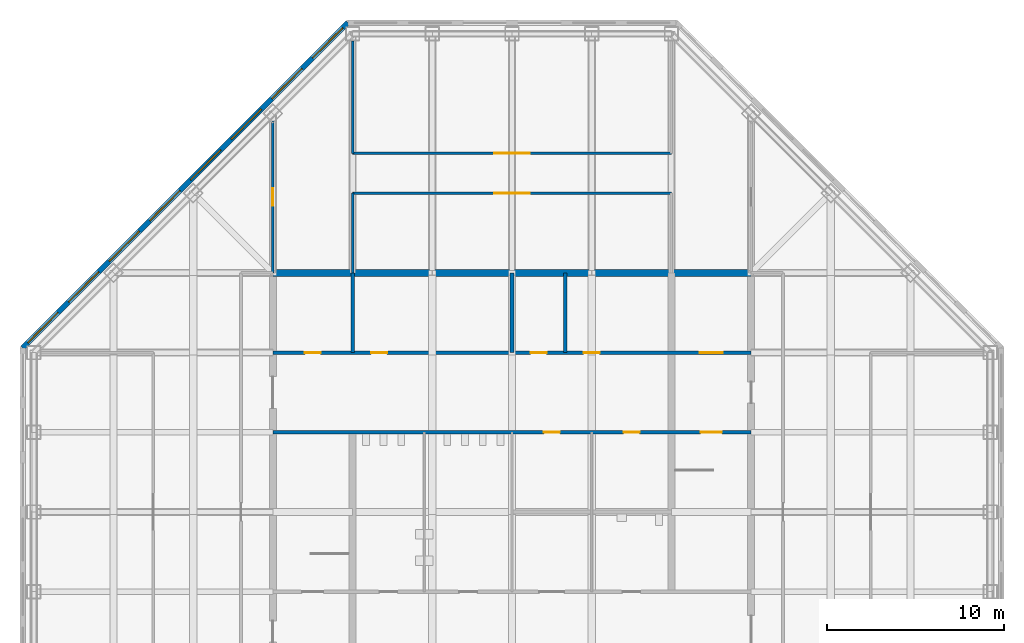
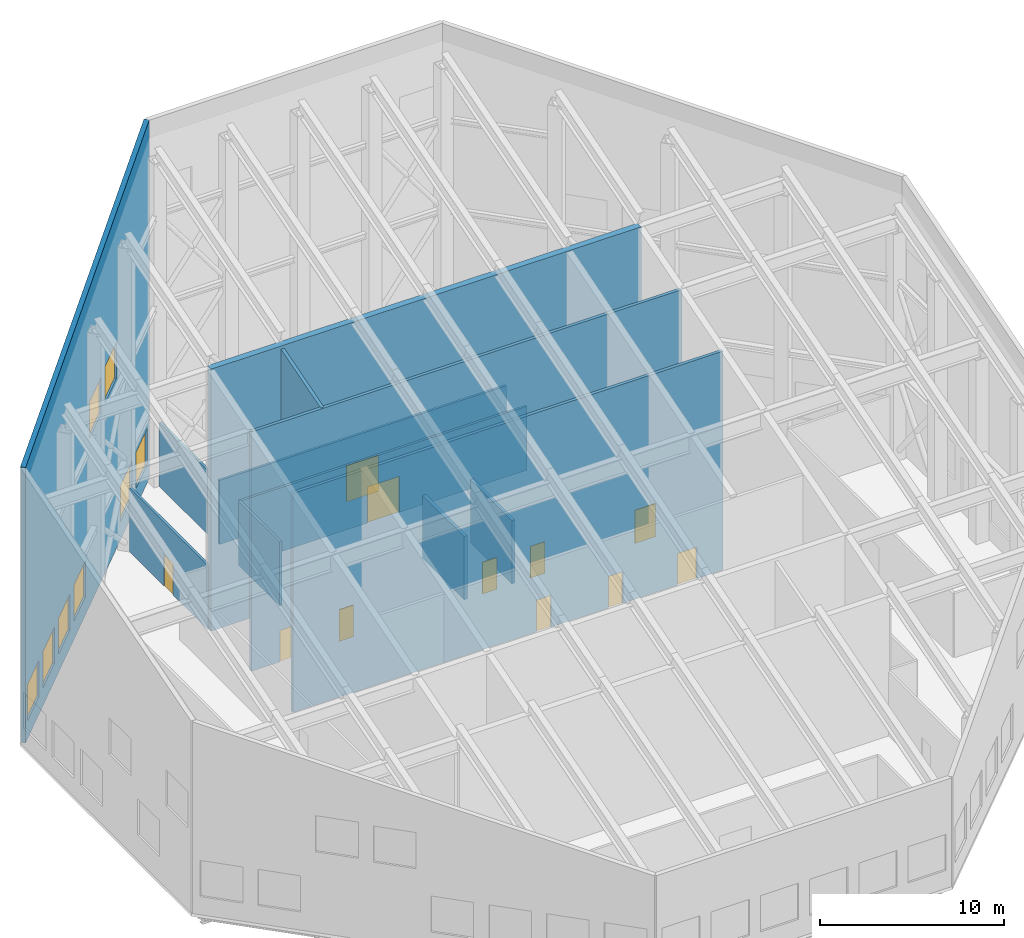
# One storey, part 7 of 10: 12 walls, 11 doors, 8 windows, 19 openings.
"""IFC4 building model written with IfcOpenShell, lengths in metres."""

from ifc_helpers import new_model, si_unit, direction, frame, frame_2d, origin, place, context, subcontext, project, spatial, polyline, rectangle, outline, extrude, material, layer, layer_set, type_object, element, fill, save


model = new_model("IFC4")

# Units and contexts
model_context = context("Model", 3, precision=1e-05, world=origin(), true_north=direction((0.0, 1.0)))
body_context = subcontext(model_context, "Body", "Model", "MODEL_VIEW")
ifc_project = project(units=[si_unit("LENGTHUNIT", "METRE"), si_unit("AREAUNIT", "SQUARE_METRE"), si_unit("VOLUMEUNIT", "CUBIC_METRE"), si_unit("PLANEANGLEUNIT", "RADIAN"), si_unit("MASSUNIT", "GRAM", prefix="KILO")], contexts=[model_context])

# Site, building, storey
site_placement = place(None, origin())
site = spatial("IfcSite", under=ifc_project, at=site_placement, CompositionType="ELEMENT")
building_placement = place(site_placement, origin())
building = spatial("IfcBuilding", under=site, at=building_placement, Name="Corais Broadcast Tower", CompositionType="ELEMENT")
storey_placement = place(building_placement, frame((0.0, 0.0, 320.10009765625)))
storey = spatial("IfcBuildingStorey", under=building, at=storey_placement, Name="L75", CompositionType="ELEMENT", Elevation=320.10009765625)

# Wall
ifc_material_1 = material(Name="Concrete blockwork class A, grouted, two-hour", Category="masonry")
ifc_layer_1 = layer(ifc_material_1, 0.199951171875)
ifc_layer_set_1 = layer_set([ifc_layer_1], Name="Concrete blockwork class A, grouted, two-hour")
wall_type_1 = type_object("IfcWallType", Name="Core lobby wall 200", PredefinedType="SOLIDWALL", material=ifc_layer_set_1)
wall_1_placement = place(storey_placement, frame((18.0, 36.0, 0.0), z_axis=(0.0, 0.0, 1.0), x_axis=(0.0, 1.0, 0.0)))
element("IfcWall", 1, at=wall_1_placement, inside=storey, type_object=wall_type_1, Name="CL3 core shaft wall X18B L75", PredefinedType="SOLIDWALL", context=body_context, shape_type="SweptSolid", body=[
    extrude(outline(polyline([(0.0, 0.0), (4.5, 0.0), (4.5, 17.22705078125), (0.0, 15.876953125), (0.0, 0.0)])), frame((0.0, 0.10009765625, 0.0), z_axis=(0.0, -1.0, 0.0), x_axis=(1.0, 0.0, 0.0)), (0.0, 0.0, 1.0), 0.199951171875),
])

# Wall, openings, doors
wall_2_placement = place(storey_placement, frame((13.5, 31.5, 0.0), z_axis=(0.0, 0.0, 1.0), x_axis=(1.0, 0.0, 0.0)))
wall_2 = element("IfcWall", 2, at=wall_2_placement, inside=storey, type_object=wall_type_1, Name="CL3 core lobby wall Y315 L75", PredefinedType="SOLIDWALL", context=body_context, shape_type="SweptSolid", body=[
    extrude(rectangle(XDim=27.0, YDim=0.199951171875, at=frame_2d((13.5, 0.0))), origin(), (0.0, 0.0, 1.0), 14.527099609375),
])
opening_1_placement = place(wall_2_placement, frame((24.14990234375, 0.0, 0.0)))
opening_1 = element("IfcOpeningElement", 3, at=opening_1_placement, cuts=wall_2, Name="Opening FD1", PredefinedType="OPENING", context=body_context, shape_type="SweptSolid", body=[
    extrude(rectangle(XDim=1.199951171875, YDim=2.10009765625, at=frame_2d((0.60009765625, 1.050048828125))), frame((0.0, 0.10986328125, 0.0), z_axis=(0.0, -1.0, 0.0), x_axis=(1.0, 0.0, 0.0)), (0.0, 0.0, 1.0), 0.219970703125),
])
opening_2_placement = place(wall_2_placement, frame((15.300048828125, 0.0, 0.0)))
opening_2 = element("IfcOpeningElement", 4, at=opening_2_placement, cuts=wall_2, Name="Opening RD1", PredefinedType="OPENING", context=body_context, shape_type="SweptSolid", body=[
    extrude(rectangle(XDim=0.89990234375, YDim=2.10009765625, at=frame_2d((0.449951171875, 1.050048828125))), frame((0.0, 0.10986328125, 0.0), z_axis=(0.0, -1.0, 0.0), x_axis=(1.0, 0.0, 0.0)), (0.0, 0.0, 1.0), 0.219970703125),
])
opening_3_placement = place(wall_2_placement, frame((19.800048828125, 0.0, 0.0)))
opening_3 = element("IfcOpeningElement", 5, at=opening_3_placement, cuts=wall_2, Name="Opening RD1", PredefinedType="OPENING", context=body_context, shape_type="SweptSolid", body=[
    extrude(rectangle(XDim=0.89990234375, YDim=2.10009765625, at=frame_2d((0.449951171875, 1.050048828125))), frame((0.0, 0.10986328125, 0.0), z_axis=(0.0, -1.0, 0.0), x_axis=(1.0, 0.0, 0.0)), (0.0, 0.0, 1.0), 0.219970703125),
])
ifc_material_2 = material(Name="Steel fire door", Category="steel")
door_type_1 = type_object("IfcDoorType", Name="Fire door 1200x2100", OperationType="SINGLE_SWING_LEFT", PredefinedType="DOOR", material=ifc_material_2)
door_1_placement = place(opening_1_placement, origin())
door_1 = element("IfcDoor", 6, at=door_1_placement, inside=storey, type_object=door_type_1, Name="FD1 stair B door L75", OperationType="SINGLE_SWING_RIGHT", OverallHeight=2.10009765625, OverallWidth=1.199951171875, PredefinedType="DOOR", context=body_context, shape_type="SweptSolid", body=[
    extrude(rectangle(XDim=1.199951171875, YDim=2.10009765625, at=frame_2d((0.60009765625, 1.050048828125))), frame((0.0, 0.02490234375, 0.0), z_axis=(0.0, -1.0, 0.0), x_axis=(1.0, 0.0, 0.0)), (0.0, 0.0, 1.0), 0.050048828125),
])
fill(opening_1, door_1)
ifc_material_3 = material(Name="Steel fire door", Category="steel")
door_type_2 = type_object("IfcDoorType", Name="Riser door 900x2100", OperationType="SINGLE_SWING_LEFT", PredefinedType="DOOR", material=ifc_material_3)
door_2_placement = place(opening_2_placement, origin())
door_2 = element("IfcDoor", 7, at=door_2_placement, inside=storey, type_object=door_type_2, Name="RD1 cleaner's store door L75", OperationType="SINGLE_SWING_RIGHT", OverallHeight=2.10009765625, OverallWidth=0.89990234375, PredefinedType="DOOR", context=body_context, shape_type="SweptSolid", body=[
    extrude(rectangle(XDim=0.89990234375, YDim=2.10009765625, at=frame_2d((0.449951171875, 1.050048828125))), frame((0.0, 0.02490234375, 0.0), z_axis=(0.0, -1.0, 0.0), x_axis=(1.0, 0.0, 0.0)), (0.0, 0.0, 1.0), 0.050048828125),
])
fill(opening_2, door_2)
door_3_placement = place(opening_3_placement, origin())
door_3 = element("IfcDoor", 8, at=door_3_placement, inside=storey, type_object=door_type_2, Name="RD1 riser door L75", OperationType="SINGLE_SWING_RIGHT", OverallHeight=2.10009765625, OverallWidth=0.89990234375, PredefinedType="DOOR", context=body_context, shape_type="SweptSolid", body=[
    extrude(rectangle(XDim=0.89990234375, YDim=2.10009765625, at=frame_2d((0.449951171875, 1.050048828125))), frame((0.0, 0.02490234375, 0.0), z_axis=(0.0, -1.0, 0.0), x_axis=(1.0, 0.0, 0.0)), (0.0, 0.0, 1.0), 0.050048828125),
])
fill(opening_3, door_3)

# Wall
ifc_material_4 = material(Name="Concrete C50/60", Category="concrete")
ifc_layer_2 = layer(ifc_material_4, 0.39990234375)
ifc_layer_set_2 = layer_set([ifc_layer_2], Name="Concrete C50/60")
wall_type_2 = type_object("IfcWallType", Name="Core wall 400", PredefinedType="SHEAR", material=ifc_layer_set_2)
wall_3_placement = place(storey_placement, frame((40.5, 40.5, 0.0), z_axis=(0.0, 0.0, 1.0), x_axis=(-1.0, 0.0, 0.0)))
element("IfcWall", 9, at=wall_3_placement, inside=storey, type_object=wall_type_2, Name="CR400 core wall N L75", PredefinedType="SHEAR", context=body_context, shape_type="SweptSolid", body=[
    extrude(rectangle(XDim=27.0, YDim=0.39990234375, at=frame_2d((13.5, 0.0))), origin(), (0.0, 0.0, 1.0), 17.376953125),
])

# Wall, openings, doors
ifc_material_5 = material(Name="Concrete blockwork class A, grouted, four-hour", Category="masonry")
ifc_layer_3 = layer(ifc_material_5, 0.199951171875)
ifc_layer_set_3 = layer_set([ifc_layer_3], Name="Concrete blockwork class A, grouted, four-hour")
wall_type_3 = type_object("IfcWallType", Name="Emergency lift shaft wall 200", PredefinedType="SOLIDWALL", material=ifc_layer_set_3)
wall_4_placement = place(storey_placement, frame((13.5, 36.0, 0.0), z_axis=(0.0, 0.0, 1.0), x_axis=(1.0, 0.0, 0.0)))
wall_4 = element("IfcWall", 10, at=wall_4_placement, inside=storey, type_object=wall_type_3, Name="LS3 core lobby wall Y36 L75", PredefinedType="SOLIDWALL", context=body_context, shape_type="SweptSolid", body=[
    extrude(rectangle(XDim=27.0, YDim=0.199951171875, at=frame_2d((13.5, 0.0))), origin(), (0.0, 0.0, 1.0), 15.876953125),
])
opening_4_placement = place(wall_4_placement, frame((1.800048828125, 0.0, 0.0)))
opening_4 = element("IfcOpeningElement", 11, at=opening_4_placement, cuts=wall_4, Name="Opening RD1", PredefinedType="OPENING", context=body_context, shape_type="SweptSolid", body=[
    extrude(rectangle(XDim=0.89990234375, YDim=2.10009765625, at=frame_2d((0.449951171875, 1.050048828125))), frame((0.0, 0.10986328125, 0.0), z_axis=(0.0, -1.0, 0.0), x_axis=(1.0, 0.0, 0.0)), (0.0, 0.0, 1.0), 0.219970703125),
])
opening_5_placement = place(wall_4_placement, frame((5.550048828125, 0.0, 0.0)))
opening_5 = element("IfcOpeningElement", 12, at=opening_5_placement, cuts=wall_4, Name="Opening RD1", PredefinedType="OPENING", context=body_context, shape_type="SweptSolid", body=[
    extrude(rectangle(XDim=0.89990234375, YDim=2.10009765625, at=frame_2d((0.449951171875, 1.050048828125))), frame((0.0, 0.10986328125, 0.0), z_axis=(0.0, -1.0, 0.0), x_axis=(1.0, 0.0, 0.0)), (0.0, 0.0, 1.0), 0.219970703125),
])
opening_6_placement = place(wall_4_placement, frame((14.550048828125, 0.0, 0.0)))
opening_6 = element("IfcOpeningElement", 13, at=opening_6_placement, cuts=wall_4, Name="Opening RD1", PredefinedType="OPENING", context=body_context, shape_type="SweptSolid", body=[
    extrude(rectangle(XDim=0.89990234375, YDim=2.10009765625, at=frame_2d((0.449951171875, 1.050048828125))), frame((0.0, 0.10986328125, 0.0), z_axis=(0.0, -1.0, 0.0), x_axis=(1.0, 0.0, 0.0)), (0.0, 0.0, 1.0), 0.219970703125),
])
opening_7_placement = place(wall_4_placement, frame((17.550048828125, 0.0, 0.0)))
opening_7 = element("IfcOpeningElement", 14, at=opening_7_placement, cuts=wall_4, Name="Opening RD1", PredefinedType="OPENING", context=body_context, shape_type="SweptSolid", body=[
    extrude(rectangle(XDim=0.89990234375, YDim=2.10009765625, at=frame_2d((0.449951171875, 1.050048828125))), frame((0.0, 0.10986328125, 0.0), z_axis=(0.0, -1.0, 0.0), x_axis=(1.0, 0.0, 0.0)), (0.0, 0.0, 1.0), 0.219970703125),
])
opening_8_placement = place(wall_4_placement, frame((24.10009765625, 0.0, 0.0)))
opening_8 = element("IfcOpeningElement", 15, at=opening_8_placement, cuts=wall_4, Name="Opening LD2", PredefinedType="OPENING", context=body_context, shape_type="SweptSolid", body=[
    extrude(rectangle(XDim=1.300048828125, YDim=2.199951171875, at=frame_2d((0.64990234375, 1.10009765625))), frame((0.0, 0.10986328125, 0.0), z_axis=(0.0, -1.0, 0.0), x_axis=(1.0, 0.0, 0.0)), (0.0, 0.0, 1.0), 0.219970703125),
])
ifc_material_6 = material(Name="Stainless steel lift door", Category="steel")
door_type_3 = type_object("IfcDoorType", Name="Lift landing door 1300x2200", OperationType="SLIDING_TO_LEFT", PredefinedType="DOOR", material=ifc_material_6)
door_4_placement = place(opening_8_placement, origin())
door_4 = element("IfcDoor", 16, at=door_4_placement, inside=storey, type_object=door_type_3, Name="LD2 FL2 landing door L75", OperationType="SLIDING_TO_LEFT", OverallHeight=2.199951171875, OverallWidth=1.300048828125, PredefinedType="DOOR", context=body_context, shape_type="SweptSolid", body=[
    extrude(rectangle(XDim=1.300048828125, YDim=2.199951171875, at=frame_2d((0.64990234375, 1.10009765625))), frame((0.0, 0.02490234375, 0.0), z_axis=(0.0, -1.0, 0.0), x_axis=(1.0, 0.0, 0.0)), (0.0, 0.0, 1.0), 0.050048828125),
])
fill(opening_8, door_4)
door_5_placement = place(opening_4_placement, origin())
door_5 = element("IfcDoor", 17, at=door_5_placement, inside=storey, type_object=door_type_2, Name="RD1 riser door L75", OperationType="SINGLE_SWING_LEFT", OverallHeight=2.10009765625, OverallWidth=0.89990234375, PredefinedType="DOOR", context=body_context, shape_type="SweptSolid", body=[
    extrude(rectangle(XDim=0.89990234375, YDim=2.10009765625, at=frame_2d((0.449951171875, 1.050048828125))), frame((0.0, 0.02490234375, 0.0), z_axis=(0.0, -1.0, 0.0), x_axis=(1.0, 0.0, 0.0)), (0.0, 0.0, 1.0), 0.050048828125),
])
fill(opening_4, door_5)
door_6_placement = place(opening_5_placement, origin())
door_6 = element("IfcDoor", 18, at=door_6_placement, inside=storey, type_object=door_type_2, Name="RD1 media store door L75", OperationType="SINGLE_SWING_LEFT", OverallHeight=2.10009765625, OverallWidth=0.89990234375, PredefinedType="DOOR", context=body_context, shape_type="SweptSolid", body=[
    extrude(rectangle(XDim=0.89990234375, YDim=2.10009765625, at=frame_2d((0.449951171875, 1.050048828125))), frame((0.0, 0.02490234375, 0.0), z_axis=(0.0, -1.0, 0.0), x_axis=(1.0, 0.0, 0.0)), (0.0, 0.0, 1.0), 0.050048828125),
])
fill(opening_5, door_6)
door_7_placement = place(opening_6_placement, origin())
door_7 = element("IfcDoor", 19, at=door_7_placement, inside=storey, type_object=door_type_2, Name="RD1 tea point door L75", OperationType="SINGLE_SWING_RIGHT", OverallHeight=2.10009765625, OverallWidth=0.89990234375, PredefinedType="DOOR", context=body_context, shape_type="SweptSolid", body=[
    extrude(rectangle(XDim=0.89990234375, YDim=2.10009765625, at=frame_2d((0.449951171875, 1.050048828125))), frame((0.0, 0.02490234375, 0.0), z_axis=(0.0, -1.0, 0.0), x_axis=(1.0, 0.0, 0.0)), (0.0, 0.0, 1.0), 0.050048828125),
])
fill(opening_6, door_7)
door_8_placement = place(opening_7_placement, origin())
door_8 = element("IfcDoor", 20, at=door_8_placement, inside=storey, type_object=door_type_2, Name="RD1 locker room door L75", OperationType="SINGLE_SWING_RIGHT", OverallHeight=2.10009765625, OverallWidth=0.89990234375, PredefinedType="DOOR", context=body_context, shape_type="SweptSolid", body=[
    extrude(rectangle(XDim=0.89990234375, YDim=2.10009765625, at=frame_2d((0.449951171875, 1.050048828125))), frame((0.0, 0.02490234375, 0.0), z_axis=(0.0, -1.0, 0.0), x_axis=(1.0, 0.0, 0.0)), (0.0, 0.0, 1.0), 0.050048828125),
])
fill(opening_7, door_8)

# Wall, opening, door
ifc_material_7 = material(Name="Two layers of fire-rated gypsum board each side on steel studs", Category="steel")
ifc_layer_4 = layer(ifc_material_7, 0.14990234375)
ifc_layer_set_4 = layer_set([ifc_layer_4], Name="Two layers of fire-rated gypsum board each side on steel studs")
wall_type_4 = type_object("IfcWallType", Name="Fire-rated partition 150 EI 60", PredefinedType="PARTITIONING", material=ifc_layer_set_4)
wall_5_placement = place(storey_placement, frame((36.0, 45.0, 0.0), z_axis=(0.0, 0.0, 1.0), x_axis=(-1.0, 0.0, 0.0)))
wall_5 = element("IfcWall", 21, at=wall_5_placement, inside=storey, type_object=wall_type_4, Name="IW7 partition L75", PredefinedType="PARTITIONING", context=body_context, shape_type="SweptSolid", body=[
    extrude(rectangle(XDim=18.0, YDim=0.14990234375, at=frame_2d((9.0, 0.0))), origin(), (0.0, 0.0, 1.0), 4.245849609375),
])
opening_9_placement = place(wall_5_placement, frame((8.0, 0.0, 0.0)))
opening_9 = element("IfcOpeningElement", 22, at=opening_9_placement, cuts=wall_5, Name="Opening D4", PredefinedType="OPENING", context=body_context, shape_type="SweptSolid", body=[
    extrude(rectangle(XDim=2.0, YDim=2.39990234375, at=frame_2d((1.0, 1.199951171875))), frame((0.0, 0.0849609375, 0.0), z_axis=(0.0, -1.0, 0.0), x_axis=(1.0, 0.0, 0.0)), (0.0, 0.0, 1.0), 0.169921875),
])
ifc_material_8 = material(Name="Steel door", Category="steel")
door_type_4 = type_object("IfcDoorType", Name="Plant room door pair 2000x2400", OperationType="DOUBLE_DOOR_SINGLE_SWING", PredefinedType="DOOR", material=ifc_material_8)
door_9_placement = place(opening_9_placement, origin())
door_9 = element("IfcDoor", 23, at=door_9_placement, inside=storey, type_object=door_type_4, Name="D4 Lift motor plant room door", OperationType="SINGLE_SWING_LEFT", OverallHeight=2.39990234375, OverallWidth=2.0, PredefinedType="DOOR", context=body_context, shape_type="SweptSolid", body=[
    extrude(rectangle(XDim=2.0, YDim=2.39990234375, at=frame_2d((1.0, 1.199951171875))), frame((0.0, 0.02490234375, 0.0), z_axis=(0.0, -1.0, 0.0), x_axis=(1.0, 0.0, 0.0)), (0.0, 0.0, 1.0), 0.050048828125),
])
fill(opening_9, door_9)

# Wall
wall_6_placement = place(storey_placement, frame((18.0, 45.0, 0.0), z_axis=(0.0, 0.0, 1.0), x_axis=(0.0, -1.0, 0.0)))
element("IfcWall", 24, at=wall_6_placement, inside=storey, type_object=wall_type_4, Name="IW7 partition L75", PredefinedType="PARTITIONING", context=body_context, shape_type="SweptSolid", body=[
    extrude(rectangle(XDim=4.5, YDim=0.14990234375, at=frame_2d((2.25, 0.0))), origin(), (0.0, 0.0, 1.0), 4.245849609375),
])

# Wall, opening, door
wall_7_placement = place(storey_placement, frame((18.0, 47.25, 0.0), z_axis=(0.0, 0.0, 1.0), x_axis=(1.0, 0.0, 0.0)))
wall_7 = element("IfcWall", 25, at=wall_7_placement, inside=storey, type_object=wall_type_4, Name="IW7 partition L75", PredefinedType="PARTITIONING", context=body_context, shape_type="SweptSolid", body=[
    extrude(rectangle(XDim=18.0, YDim=0.14990234375, at=frame_2d((9.0, 0.0))), origin(), (0.0, 0.0, 1.0), 4.245849609375),
])
opening_10_placement = place(wall_7_placement, frame((8.0, 0.0, 0.0)))
opening_10 = element("IfcOpeningElement", 26, at=opening_10_placement, cuts=wall_7, Name="Opening D4", PredefinedType="OPENING", context=body_context, shape_type="SweptSolid", body=[
    extrude(rectangle(XDim=2.0, YDim=2.39990234375, at=frame_2d((1.0, 1.199951171875))), frame((0.0, 0.0849609375, 0.0), z_axis=(0.0, -1.0, 0.0), x_axis=(1.0, 0.0, 0.0)), (0.0, 0.0, 1.0), 0.169921875),
])
door_10_placement = place(opening_10_placement, origin())
door_10 = element("IfcDoor", 27, at=door_10_placement, inside=storey, type_object=door_type_4, Name="D4 Generator plant room door", OperationType="SINGLE_SWING_LEFT", OverallHeight=2.39990234375, OverallWidth=2.0, PredefinedType="DOOR", context=body_context, shape_type="SweptSolid", body=[
    extrude(rectangle(XDim=2.0, YDim=2.39990234375, at=frame_2d((1.0, 1.199951171875))), frame((0.0, 0.02490234375, 0.0), z_axis=(0.0, -1.0, 0.0), x_axis=(1.0, 0.0, 0.0)), (0.0, 0.0, 1.0), 0.050048828125),
])
fill(opening_10, door_10)

# Wall
wall_8_placement = place(storey_placement, frame((18.0, 53.590087890625, 0.0), z_axis=(0.0, 0.0, 1.0), x_axis=(0.0, -1.0, 0.0)))
element("IfcWall", 28, at=wall_8_placement, inside=storey, type_object=wall_type_4, Name="IW7 partition L75", PredefinedType="PARTITIONING", context=body_context, shape_type="SweptSolid", body=[
    extrude(rectangle(XDim=6.340087890625, YDim=0.14990234375, at=frame_2d((3.169921875, 0.0))), origin(), (0.0, 0.0, 1.0), 4.245849609375),
])

# Wall, opening, door
ifc_material_9 = material(Name="Gypsum board on steel studs", Category="steel")
ifc_layer_5 = layer(ifc_material_9, 0.14990234375)
ifc_layer_set_5 = layer_set([ifc_layer_5], Name="Gypsum board on steel studs")
wall_type_5 = type_object("IfcWallType", Name="Partition 150", PredefinedType="PARTITIONING", material=ifc_layer_set_5)
wall_9_placement = place(storey_placement, frame((13.5, 40.5, 0.0), z_axis=(0.0, 0.0, 1.0), x_axis=(0.0, 1.0, 0.0)))
wall_9 = element("IfcWall", 29, at=wall_9_placement, inside=storey, type_object=wall_type_5, Name="IW3 partition L75", PredefinedType="PARTITIONING", context=body_context, shape_type="SweptSolid", body=[
    extrude(rectangle(XDim=8.580078125, YDim=0.14990234375, at=frame_2d((4.2900390625, 0.0))), origin(), (0.0, 0.0, 1.0), 4.245849609375),
])
opening_11_placement = place(wall_9_placement, frame((3.7900390625, 0.0, 0.0)))
opening_11 = element("IfcOpeningElement", 30, at=opening_11_placement, cuts=wall_9, Name="Opening D1", PredefinedType="OPENING", context=body_context, shape_type="SweptSolid", body=[
    extrude(rectangle(XDim=1.0, YDim=2.10009765625, at=frame_2d((0.5, 1.050048828125))), frame((0.0, 0.0849609375, 0.0), z_axis=(0.0, -1.0, 0.0), x_axis=(1.0, 0.0, 0.0)), (0.0, 0.0, 1.0), 0.169921875),
])
ifc_material_10 = material(Name="Timber door", Category="wood")
door_type_5 = type_object("IfcDoorType", Name="Single door 1000x2100", OperationType="SINGLE_SWING_LEFT", PredefinedType="DOOR", material=ifc_material_10)
door_11_placement = place(opening_11_placement, origin())
door_11 = element("IfcDoor", 31, at=door_11_placement, inside=storey, type_object=door_type_5, Name="D1 team room door L75", OperationType="SINGLE_SWING_LEFT", OverallHeight=2.10009765625, OverallWidth=1.0, PredefinedType="DOOR", context=body_context, shape_type="SweptSolid", body=[
    extrude(rectangle(XDim=1.0, YDim=2.10009765625, at=frame_2d((0.5, 1.050048828125))), frame((0.0, 0.02490234375, 0.0), z_axis=(0.0, -1.0, 0.0), x_axis=(1.0, 0.0, 0.0)), (0.0, 0.0, 1.0), 0.050048828125),
])
fill(opening_11, door_11)

# Walls
ifc_material_11 = material(Name="Concrete blockwork class A, grouted, two-hour", Category="masonry")
ifc_layer_6 = layer(ifc_material_11, 0.199951171875)
ifc_layer_set_6 = layer_set([ifc_layer_6], Name="Concrete blockwork class A, grouted, two-hour")
wall_type_6 = type_object("IfcWallType", Name="Shaft wall 200", PredefinedType="PARTITIONING", material=ifc_layer_set_6)
for number, where, z_axis, x_axis, name in (
    (32, (27.0, 36.0, 0.0), (0.0, 0.0, 1.0), (0.0, 1.0, 0.0), "IW1 shaft wall L75"),
    (33, (30.0, 36.0, 0.0), (0.0, 0.0, 1.0), (0.0, 1.0, 0.0), "IW1 shaft wall L75"),
):
    element("IfcWall", number, at=place(storey_placement, frame(where, z_axis=z_axis, x_axis=x_axis)), inside=storey, type_object=wall_type_6, Name=name, PredefinedType="PARTITIONING", context=body_context, shape_type="SweptSolid", body=[
        extrude(rectangle(XDim=4.5, YDim=0.199951171875, at=frame_2d((2.25, 0.0))), origin(), (0.0, 0.0, 1.0), 4.199951171875),
    ])

# Wall, openings, windows
ifc_material_12 = material(Name="Precast concrete C40/50", Category="concrete")
ifc_layer_7 = layer(ifc_material_12, 0.300048828125)
ifc_layer_set_7 = layer_set([ifc_layer_7], Name="Precast concrete C40/50")
wall_type_7 = type_object("IfcWallType", Name="Stone-faced precast wall 300", PredefinedType="SOLIDWALL", material=ifc_layer_set_7)
wall_10_placement = place(storey_placement, frame((-0.6298828125, 36.260986328125, 0.0), z_axis=(0.0, 0.0, 1.0), x_axis=(0.707106781187, 0.707106781187, 0.0)))
wall_10 = element("IfcWall", 34, at=wall_10_placement, inside=storey, type_object=wall_type_7, Name="EW1 crown wall L75 3", PredefinedType="SOLIDWALL", context=body_context, shape_type="SweptSolid", body=[
    extrude(outline(polyline([(0.0, 0.0), (25.9775390625, 0.0), (25.977783203125, 23.788818359375), (0.0, 18.2783203125), (0.0, 0.0)])), frame((0.0, 0.14990234375, 0.0), z_axis=(0.0, -1.0, 0.0), x_axis=(1.0, 0.0, 0.0)), (0.0, 0.0, 1.0), 0.300048828125),
])
opening_12_placement = place(wall_10_placement, frame((0.423583984375, 0.0, 1.199951171875)))
opening_12 = element("IfcOpeningElement", 35, at=opening_12_placement, cuts=wall_10, Name="Opening LV2", PredefinedType="OPENING", context=body_context, shape_type="SweptSolid", body=[
    extrude(rectangle(XDim=2.39990234375, YDim=2.39990234375, at=frame_2d((1.199951171875, 1.199951171875))), frame((0.0, 0.159912109375, 0.0), z_axis=(0.0, -1.0, 0.0), x_axis=(1.0, 0.0, 0.0)), (0.0, 0.0, 1.0), 0.320068359375),
])
opening_13_placement = place(wall_10_placement, frame((3.6708984375, 0.0, 1.199951171875)))
opening_13 = element("IfcOpeningElement", 36, at=opening_13_placement, cuts=wall_10, Name="Opening LV2", PredefinedType="OPENING", context=body_context, shape_type="SweptSolid", body=[
    extrude(rectangle(XDim=2.39990234375, YDim=2.39990234375, at=frame_2d((1.199951171875, 1.199951171875))), frame((0.0, 0.159912109375, 0.0), z_axis=(0.0, -1.0, 0.0), x_axis=(1.0, 0.0, 0.0)), (0.0, 0.0, 1.0), 0.320068359375),
])
opening_14_placement = place(wall_10_placement, frame((6.91796875, 0.0, 1.199951171875)))
opening_14 = element("IfcOpeningElement", 37, at=opening_14_placement, cuts=wall_10, Name="Opening LV2", PredefinedType="OPENING", context=body_context, shape_type="SweptSolid", body=[
    extrude(rectangle(XDim=2.39990234375, YDim=2.39990234375, at=frame_2d((1.199951171875, 1.199951171875))), frame((0.0, 0.159912109375, 0.0), z_axis=(0.0, -1.0, 0.0), x_axis=(1.0, 0.0, 0.0)), (0.0, 0.0, 1.0), 0.320068359375),
])
opening_15_placement = place(wall_10_placement, frame((10.165283203125, 0.0, 1.199951171875)))
opening_15 = element("IfcOpeningElement", 38, at=opening_15_placement, cuts=wall_10, Name="Opening LV2", PredefinedType="OPENING", context=body_context, shape_type="SweptSolid", body=[
    extrude(rectangle(XDim=2.39990234375, YDim=2.39990234375, at=frame_2d((1.199951171875, 1.199951171875))), frame((0.0, 0.159912109375, 0.0), z_axis=(0.0, -1.0, 0.0), x_axis=(1.0, 0.0, 0.0)), (0.0, 0.0, 1.0), 0.320068359375),
])
opening_16_placement = place(wall_10_placement, frame((13.412353515625, 0.0, 11.14990234375)))
opening_16 = element("IfcOpeningElement", 39, at=opening_16_placement, cuts=wall_10, Name="Opening LV2", PredefinedType="OPENING", context=body_context, shape_type="SweptSolid", body=[
    extrude(rectangle(XDim=2.39990234375, YDim=2.39990234375, at=frame_2d((1.199951171875, 1.199951171875))), frame((0.0, 0.159912109375, 0.0), z_axis=(0.0, -1.0, 0.0), x_axis=(1.0, 0.0, 0.0)), (0.0, 0.0, 1.0), 0.320068359375),
])
opening_17_placement = place(wall_10_placement, frame((16.65966796875, 0.0, 11.300048828125)))
opening_17 = element("IfcOpeningElement", 40, at=opening_17_placement, cuts=wall_10, Name="Opening LV2", PredefinedType="OPENING", context=body_context, shape_type="SweptSolid", body=[
    extrude(rectangle(XDim=2.39990234375, YDim=2.39990234375, at=frame_2d((1.199951171875, 1.199951171875))), frame((0.0, 0.159912109375, 0.0), z_axis=(0.0, -1.0, 0.0), x_axis=(1.0, 0.0, 0.0)), (0.0, 0.0, 1.0), 0.320068359375),
])
opening_18_placement = place(wall_10_placement, frame((19.906982421875, 0.0, 1.199951171875)))
opening_18 = element("IfcOpeningElement", 41, at=opening_18_placement, cuts=wall_10, Name="Opening LV2", PredefinedType="OPENING", context=body_context, shape_type="SweptSolid", body=[
    extrude(rectangle(XDim=2.39990234375, YDim=2.39990234375, at=frame_2d((1.199951171875, 1.199951171875))), frame((0.0, 0.159912109375, 0.0), z_axis=(0.0, -1.0, 0.0), x_axis=(1.0, 0.0, 0.0)), (0.0, 0.0, 1.0), 0.320068359375),
])
opening_19_placement = place(wall_10_placement, frame((23.154052734375, 0.0, 1.199951171875)))
opening_19 = element("IfcOpeningElement", 42, at=opening_19_placement, cuts=wall_10, Name="Opening LV2", PredefinedType="OPENING", context=body_context, shape_type="SweptSolid", body=[
    extrude(rectangle(XDim=2.39990234375, YDim=2.39990234375, at=frame_2d((1.199951171875, 1.199951171875))), frame((0.0, 0.159912109375, 0.0), z_axis=(0.0, -1.0, 0.0), x_axis=(1.0, 0.0, 0.0)), (0.0, 0.0, 1.0), 0.320068359375),
])
ifc_material_13 = material(Name="Aluminium frame", Category="aluminium")
window_type = type_object("IfcWindowType", Name="Crown louvre 2400x2400", PartitioningType="SINGLE_PANEL", PredefinedType="USERDEFINED", material=ifc_material_13)
window_1_placement = place(opening_12_placement, origin())
window_1 = element("IfcWindow", 43, at=window_1_placement, inside=storey, type_object=window_type, Name="LV2 window L75", ObjectType="LOUVRE", OverallHeight=2.39990234375, OverallWidth=2.39990234375, PartitioningType="SINGLE_PANEL", PredefinedType="USERDEFINED", context=body_context, shape_type="SweptSolid", body=[
    extrude(rectangle(XDim=2.39990234375, YDim=2.39990234375, at=frame_2d((1.199951171875, 1.199951171875))), frame((0.0, 0.030029296875, 0.0), z_axis=(0.0, -1.0, 0.0), x_axis=(1.0, 0.0, 0.0)), (0.0, 0.0, 1.0), 0.06005859375),
])
fill(opening_12, window_1)
window_2_placement = place(opening_13_placement, origin())
window_2 = element("IfcWindow", 44, at=window_2_placement, inside=storey, type_object=window_type, Name="LV2 window L75", ObjectType="LOUVRE", OverallHeight=2.39990234375, OverallWidth=2.39990234375, PartitioningType="SINGLE_PANEL", PredefinedType="USERDEFINED", context=body_context, shape_type="SweptSolid", body=[
    extrude(rectangle(XDim=2.39990234375, YDim=2.39990234375, at=frame_2d((1.199951171875, 1.199951171875))), frame((0.0, 0.030029296875, 0.0), z_axis=(0.0, -1.0, 0.0), x_axis=(1.0, 0.0, 0.0)), (0.0, 0.0, 1.0), 0.06005859375),
])
fill(opening_13, window_2)
window_3_placement = place(opening_14_placement, origin())
window_3 = element("IfcWindow", 45, at=window_3_placement, inside=storey, type_object=window_type, Name="LV2 window L75", ObjectType="LOUVRE", OverallHeight=2.39990234375, OverallWidth=2.39990234375, PartitioningType="SINGLE_PANEL", PredefinedType="USERDEFINED", context=body_context, shape_type="SweptSolid", body=[
    extrude(rectangle(XDim=2.39990234375, YDim=2.39990234375, at=frame_2d((1.199951171875, 1.199951171875))), frame((0.0, 0.030029296875, 0.0), z_axis=(0.0, -1.0, 0.0), x_axis=(1.0, 0.0, 0.0)), (0.0, 0.0, 1.0), 0.06005859375),
])
fill(opening_14, window_3)
window_4_placement = place(opening_15_placement, origin())
window_4 = element("IfcWindow", 46, at=window_4_placement, inside=storey, type_object=window_type, Name="LV2 window L75", ObjectType="LOUVRE", OverallHeight=2.39990234375, OverallWidth=2.39990234375, PartitioningType="SINGLE_PANEL", PredefinedType="USERDEFINED", context=body_context, shape_type="SweptSolid", body=[
    extrude(rectangle(XDim=2.39990234375, YDim=2.39990234375, at=frame_2d((1.199951171875, 1.199951171875))), frame((0.0, 0.030029296875, 0.0), z_axis=(0.0, -1.0, 0.0), x_axis=(1.0, 0.0, 0.0)), (0.0, 0.0, 1.0), 0.06005859375),
])
fill(opening_15, window_4)
window_5_placement = place(opening_16_placement, origin())
window_5 = element("IfcWindow", 47, at=window_5_placement, inside=storey, type_object=window_type, Name="LV2 window L75", ObjectType="LOUVRE", OverallHeight=2.39990234375, OverallWidth=2.39990234375, PartitioningType="SINGLE_PANEL", PredefinedType="USERDEFINED", context=body_context, shape_type="SweptSolid", body=[
    extrude(rectangle(XDim=2.39990234375, YDim=2.39990234375, at=frame_2d((1.199951171875, 1.199951171875))), frame((0.0, 0.030029296875, 0.0), z_axis=(0.0, -1.0, 0.0), x_axis=(1.0, 0.0, 0.0)), (0.0, 0.0, 1.0), 0.06005859375),
])
fill(opening_16, window_5)
window_6_placement = place(opening_17_placement, origin())
window_6 = element("IfcWindow", 48, at=window_6_placement, inside=storey, type_object=window_type, Name="LV2 window L75", ObjectType="LOUVRE", OverallHeight=2.39990234375, OverallWidth=2.39990234375, PartitioningType="SINGLE_PANEL", PredefinedType="USERDEFINED", context=body_context, shape_type="SweptSolid", body=[
    extrude(rectangle(XDim=2.39990234375, YDim=2.39990234375, at=frame_2d((1.199951171875, 1.199951171875))), frame((0.0, 0.030029296875, 0.0), z_axis=(0.0, -1.0, 0.0), x_axis=(1.0, 0.0, 0.0)), (0.0, 0.0, 1.0), 0.06005859375),
])
fill(opening_17, window_6)
window_7_placement = place(opening_18_placement, origin())
window_7 = element("IfcWindow", 49, at=window_7_placement, inside=storey, type_object=window_type, Name="LV2 window L75", ObjectType="LOUVRE", OverallHeight=2.39990234375, OverallWidth=2.39990234375, PartitioningType="SINGLE_PANEL", PredefinedType="USERDEFINED", context=body_context, shape_type="SweptSolid", body=[
    extrude(rectangle(XDim=2.39990234375, YDim=2.39990234375, at=frame_2d((1.199951171875, 1.199951171875))), frame((0.0, 0.030029296875, 0.0), z_axis=(0.0, -1.0, 0.0), x_axis=(1.0, 0.0, 0.0)), (0.0, 0.0, 1.0), 0.06005859375),
])
fill(opening_18, window_7)
window_8_placement = place(opening_19_placement, origin())
window_8 = element("IfcWindow", 50, at=window_8_placement, inside=storey, type_object=window_type, Name="LV2 window L75", ObjectType="LOUVRE", OverallHeight=2.39990234375, OverallWidth=2.39990234375, PartitioningType="SINGLE_PANEL", PredefinedType="USERDEFINED", context=body_context, shape_type="SweptSolid", body=[
    extrude(rectangle(XDim=2.39990234375, YDim=2.39990234375, at=frame_2d((1.199951171875, 1.199951171875))), frame((0.0, 0.030029296875, 0.0), z_axis=(0.0, -1.0, 0.0), x_axis=(1.0, 0.0, 0.0)), (0.0, 0.0, 1.0), 0.06005859375),
])
fill(opening_19, window_8)

save(model, "model.ifc")
